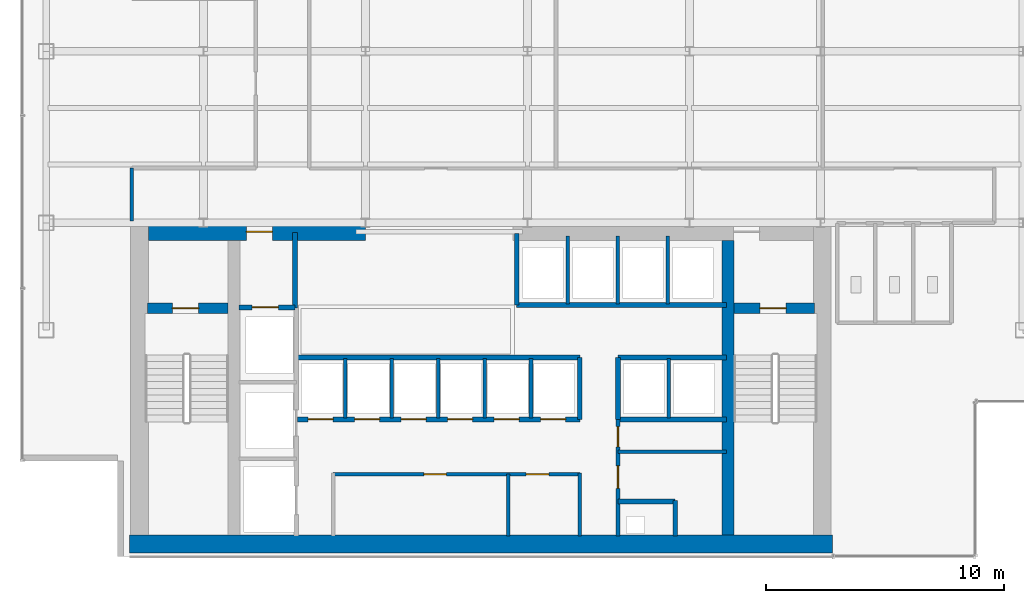
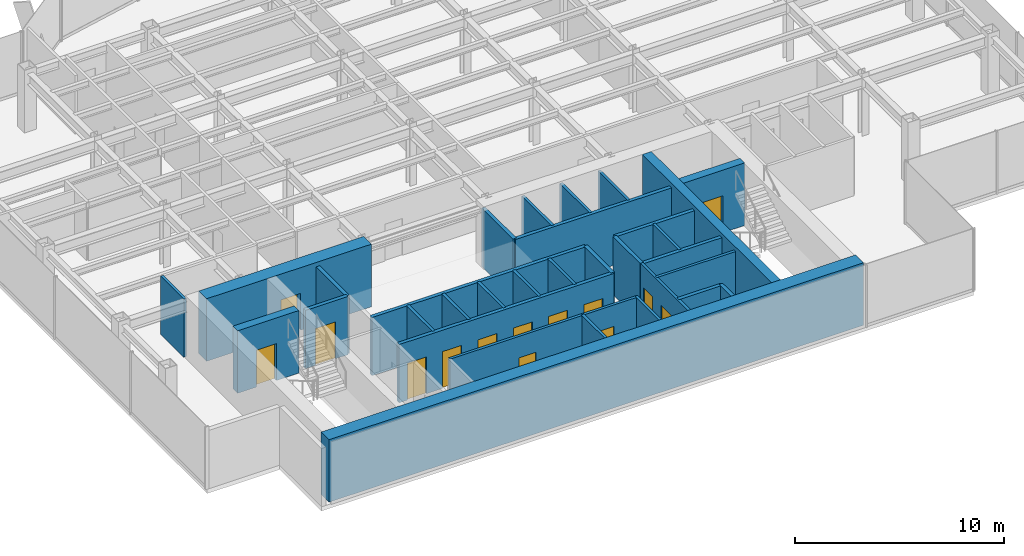
# One storey, part 20 of 25: 32 walls, 14 doors, 14 openings.
"""IFC4 building model written with IfcOpenShell, lengths in metres."""

from ifc_helpers import new_model, si_unit, derived_unit, direction, frame, frame_2d, origin, place, context, subcontext, project, spatial, rectangle, extrude, source, transform, mapped, material, layer, layer_set, type_object, element, fill, save


model = new_model("IFC4")

# Units and contexts
model_context = context("Model", 3, precision=1e-05, world=origin(), true_north=direction((0.0, 1.0)))
body_context = subcontext(model_context, "Body", "Model", "MODEL_VIEW")
ifc_project = project(units=[si_unit("LENGTHUNIT", "METRE"), si_unit("AREAUNIT", "SQUARE_METRE"), si_unit("VOLUMEUNIT", "CUBIC_METRE"), si_unit("PLANEANGLEUNIT", "RADIAN"), si_unit("MASSUNIT", "GRAM", prefix="KILO"), derived_unit("THERMALTRANSMITTANCEUNIT", [(si_unit("POWERUNIT", "WATT"), 1), (si_unit("LENGTHUNIT", "METRE"), -2), (si_unit("THERMODYNAMICTEMPERATUREUNIT", "KELVIN"), -1)])], contexts=[model_context])

# Site, building, storey
site_placement = place(None, origin())
site = spatial("IfcSite", under=ifc_project, at=site_placement, CompositionType="ELEMENT")
building_placement = place(site_placement, origin())
building = spatial("IfcBuilding", under=site, at=building_placement, Name="Skarnbrae Concourse Arena and Tower", CompositionType="ELEMENT")
storey_placement = place(building_placement, frame((0.0, 0.0, 155.199951171875)))
storey = spatial("IfcBuildingStorey", under=building, at=storey_placement, Name="L39", CompositionType="ELEMENT", Elevation=155.199951171875)

# Wall, opening, door
ifc_material_1 = material(Name="Concrete 50 MPa (C50/60)", Category="concrete")
ifc_layer_1 = layer(ifc_material_1, 0.449951171875)
ifc_layer_set_1 = layer_set([ifc_layer_1], Name="Concrete 50 MPa (C50/60)")
wall_type_1 = type_object("IfcWallType", Name="WALL-CORE-450-C50", PredefinedType="SHEAR", material=ifc_layer_set_1)
shared_shape_1 = source(origin(), body_context, "Body", "SweptSolid", [
    extrude(rectangle(XDim=3.389892578125, YDim=0.449951171875, at=frame_2d((1.69482421875, 0.0))), origin(), (0.0, 0.0, 1.0), 3.650146484375),
])
wall_1_placement = place(storey_placement, frame((5.25, 10.419921875, 0.0), z_axis=(0.0, 0.0, 1.0), x_axis=(1.0, 0.0, 0.0)))
wall_1 = element("IfcWall", 1, at=wall_1_placement, inside=storey, type_object=wall_type_1, Name="L39 Rear core shear wall CW-ST1-N", PredefinedType="SHEAR", context=body_context, shape_type="MappedRepresentation", body=[
    mapped(shared_shape_1, transform((0.0, 0.0, 0.0))),
])
opening_1_placement = place(wall_1_placement, frame((1.050048828125, 0.0, 0.0)))
opening_1 = element("IfcOpeningElement", 2, at=opening_1_placement, cuts=wall_1, Name="Opening DT-03", PredefinedType="OPENING", context=body_context, shape_type="SweptSolid", body=[
    extrude(rectangle(XDim=1.10009765625, YDim=2.14990234375, at=frame_2d((0.550048828125, 1.074951171875))), frame((0.0, 0.23486328125, 0.0), z_axis=(0.0, -1.0, 0.0), x_axis=(1.0, 0.0, 0.0)), (0.0, 0.0, 1.0), 0.469970703125),
])
ifc_material_2 = material(Name="Steel CSA G40.21 350W", Category="steel")
door_type_1 = type_object("IfcDoorType", Name="DOOR-FIRE-1100-90M", OperationType="NOTDEFINED", PredefinedType="DOOR", material=ifc_material_2)
shared_shape_2 = source(origin(), body_context, "Body", "SweptSolid", [
    extrude(rectangle(XDim=1.10009765625, YDim=2.14990234375, at=frame_2d((0.550048828125, 1.074951171875))), frame((0.0, 0.02490234375, 0.0), z_axis=(0.0, -1.0, 0.0), x_axis=(1.0, 0.0, 0.0)), (0.0, 0.0, 1.0), 0.050048828125),
])
door_1_placement = place(opening_1_placement, frame((1.10009765625, 0.0, 0.0), z_axis=(0.0, 0.0, 1.0), x_axis=(-1.0, 0.0, 0.0)))
door_1 = element("IfcDoor", 3, at=door_1_placement, inside=storey, type_object=door_type_1, Name="D-1208 Stair ST-1 Door", OperationType="SINGLE_SWING_LEFT", OverallHeight=2.14990234375, OverallWidth=1.10009765625, PredefinedType="DOOR", context=body_context, shape_type="MappedRepresentation", body=[
    mapped(shared_shape_2, transform((0.0, 0.0, 0.0))),
])
fill(opening_1, door_1)

wall_2_placement = place(storey_placement, frame((29.860107421875, 10.419921875, 0.0), z_axis=(0.0, 0.0, 1.0), x_axis=(1.0, 0.0, 0.0)))
wall_2 = element("IfcWall", 4, at=wall_2_placement, inside=storey, type_object=wall_type_1, Name="L39 Rear core shear wall CW-ST2-N", PredefinedType="SHEAR", context=body_context, shape_type="MappedRepresentation", body=[
    mapped(shared_shape_1, transform((0.0, 0.0, 0.0))),
])
opening_2_placement = place(wall_2_placement, frame((1.10009765625, 0.0, 0.0)))
opening_2 = element("IfcOpeningElement", 5, at=opening_2_placement, cuts=wall_2, Name="Opening DT-03", PredefinedType="OPENING", context=body_context, shape_type="SweptSolid", body=[
    extrude(rectangle(XDim=1.10009765625, YDim=2.14990234375, at=frame_2d((0.550048828125, 1.074951171875))), frame((0.0, 0.23486328125, 0.0), z_axis=(0.0, -1.0, 0.0), x_axis=(1.0, 0.0, 0.0)), (0.0, 0.0, 1.0), 0.469970703125),
])
door_2_placement = place(opening_2_placement, frame((1.10009765625, 0.0, 0.0), z_axis=(0.0, 0.0, 1.0), x_axis=(-1.0, 0.0, 0.0)))
door_2 = element("IfcDoor", 6, at=door_2_placement, inside=storey, type_object=door_type_1, Name="D-1209 Stair ST-2 Door", OperationType="SINGLE_SWING_RIGHT", OverallHeight=2.14990234375, OverallWidth=1.10009765625, PredefinedType="DOOR", context=body_context, shape_type="MappedRepresentation", body=[
    mapped(shared_shape_2, transform((0.0, 0.0, 0.0))),
])
fill(opening_2, door_2)

# Wall
ifc_material_3 = material(Name="Concrete 60 MPa (C60/75)", Category="concrete")
ifc_layer_2 = layer(ifc_material_3, 0.75)
ifc_layer_set_2 = layer_set([ifc_layer_2], Name="Concrete 60 MPa (C60/75)")
wall_type_2 = type_object("IfcWallType", Name="WALL-CORE-750-C60", PredefinedType="SHEAR", material=ifc_layer_set_2)
shared_shape_3 = source(origin(), body_context, "Body", "SweptSolid", [
    extrude(rectangle(XDim=29.5, YDim=0.75, at=frame_2d((14.75, 0.0))), origin(), (0.0, 0.0, 1.0), 3.650146484375),
])
wall_3_placement = place(storey_placement, frame((4.5, 0.52490234375, 0.0), z_axis=(0.0, 0.0, 1.0), x_axis=(1.0, 0.0, 0.0)))
element("IfcWall", 7, at=wall_3_placement, inside=storey, type_object=wall_type_2, Name="L39 Rear core shear wall CW-S", PredefinedType="SHEAR", context=body_context, shape_type="MappedRepresentation", body=[
    mapped(shared_shape_3, transform((0.0, 0.0, 0.0))),
])

# Wall, opening, door
shared_shape_4 = source(origin(), body_context, "Body", "SweptSolid", [
    extrude(rectangle(XDim=9.099853515625, YDim=0.75, at=frame_2d((4.5498046875, 0.0))), origin(), (0.0, 0.0, 1.0), 3.650146484375),
])
wall_4_placement = place(storey_placement, frame((5.300048828125, 13.625, 0.0), z_axis=(0.0, 0.0, 1.0), x_axis=(1.0, 0.0, 0.0)))
wall_4 = element("IfcWall", 8, at=wall_4_placement, inside=storey, type_object=wall_type_2, Name="L39 Rear core shear wall CW-NW", PredefinedType="SHEAR", context=body_context, shape_type="MappedRepresentation", body=[
    mapped(shared_shape_4, transform((0.0, 0.0, 0.0))),
])
opening_3_placement = place(wall_4_placement, frame((4.10009765625, 0.0, 0.0)))
opening_3 = element("IfcOpeningElement", 9, at=opening_3_placement, cuts=wall_4, Name="Opening DT-03", PredefinedType="OPENING", context=body_context, shape_type="SweptSolid", body=[
    extrude(rectangle(XDim=1.10009765625, YDim=2.14990234375, at=frame_2d((0.550048828125, 1.074951171875))), frame((0.0, 0.385009765625, 0.0), z_axis=(0.0, -1.0, 0.0), x_axis=(1.0, 0.0, 0.0)), (0.0, 0.0, 1.0), 0.77001953125),
])
door_3_placement = place(opening_3_placement, origin())
door_3 = element("IfcDoor", 10, at=door_3_placement, inside=storey, type_object=door_type_1, Name="D-1210 Firefighting Lobby Exit Door", OperationType="SINGLE_SWING_RIGHT", OverallHeight=2.14990234375, OverallWidth=1.10009765625, PredefinedType="DOOR", context=body_context, shape_type="MappedRepresentation", body=[
    mapped(shared_shape_2, transform((0.0, 0.0, 0.0))),
])
fill(opening_3, door_3)

# Walls
ifc_layer_3 = layer(ifc_material_3, 0.5)
ifc_layer_set_3 = layer_set([ifc_layer_3], Name="Concrete 60 MPa (C60/75)")
wall_type_3 = type_object("IfcWallType", Name="WALL-CORE-500-C60", PredefinedType="SHEAR", material=ifc_layer_set_3)
shared_shape_5 = source(origin(), body_context, "Body", "SweptSolid", [
    extrude(rectangle(XDim=12.35009765625, YDim=0.5, at=frame_2d((6.175048828125, 0.0))), origin(), (0.0, 0.0, 1.0), 3.650146484375),
])
wall_5_placement = place(storey_placement, frame((29.610107421875, 0.89990234375, 0.0), z_axis=(0.0, 0.0, 1.0), x_axis=(0.0, 1.0, 0.0)))
element("IfcWall", 11, at=wall_5_placement, inside=storey, type_object=wall_type_3, Name="L39 Rear core shear wall CW-WEB-E", PredefinedType="SHEAR", context=body_context, shape_type="MappedRepresentation", body=[
    mapped(shared_shape_5, transform((0.0, 0.0, 0.0))),
])
ifc_material_4 = material(Name="Gypsum board on cold-formed steel studs", Category="steel")
ifc_layer_4 = layer(ifc_material_4, 0.199951171875)
ifc_layer_set_4 = layer_set([ifc_layer_4], Name="Gypsum board on cold-formed steel studs")
wall_type_4 = type_object("IfcWallType", Name="WALL-PART-200-2HR", PredefinedType="PARTITIONING", material=ifc_layer_set_4)
shared_shape_6 = source(origin(), body_context, "Body", "SweptSolid", [
    extrude(rectangle(XDim=3.18017578125, YDim=0.199951171875, at=frame_2d((1.590087890625, 0.0))), origin(), (0.0, 0.0, 1.0), 3.400146484375),
])
wall_6_placement = place(storey_placement, frame((11.449951171875, 10.419921875, 0.0), z_axis=(0.0, 0.0, 1.0), x_axis=(0.0, 1.0, 0.0)))
element("IfcWall", 12, at=wall_6_placement, inside=storey, type_object=wall_type_4, Name="L39 Interior partition wall W-L39-FFL-E", PredefinedType="PARTITIONING", context=body_context, shape_type="MappedRepresentation", body=[
    mapped(shared_shape_6, transform((0.0, 0.0, 0.0))),
])

# Wall, opening, door
shared_shape_7 = source(origin(), body_context, "Body", "SweptSolid", [
    extrude(rectangle(XDim=2.349853515625, YDim=0.199951171875, at=frame_2d((1.1748046875, 0.0))), origin(), (0.0, 0.0, 1.0), 3.400146484375),
])
wall_7_placement = place(storey_placement, frame((9.10009765625, 10.449951171875, 0.0), z_axis=(0.0, 0.0, 1.0), x_axis=(1.0, 0.0, 0.0)))
wall_7 = element("IfcWall", 13, at=wall_7_placement, inside=storey, type_object=wall_type_4, Name="L39 Interior partition wall W-L39-FL1-N", PredefinedType="PARTITIONING", context=body_context, shape_type="MappedRepresentation", body=[
    mapped(shared_shape_7, transform((0.0, 0.0, 0.0))),
])
opening_4_placement = place(wall_7_placement, frame((0.550048828125, 0.0, 0.0)))
opening_4 = element("IfcOpeningElement", 14, at=opening_4_placement, cuts=wall_7, Name="Opening LD-01", PredefinedType="OPENING", context=body_context, shape_type="SweptSolid", body=[
    extrude(rectangle(XDim=1.10009765625, YDim=2.14990234375, at=frame_2d((0.550048828125, 1.074951171875))), frame((0.0, 0.10986328125, 0.0), z_axis=(0.0, -1.0, 0.0), x_axis=(1.0, 0.0, 0.0)), (0.0, 0.0, 1.0), 0.219970703125),
])
door_type_2 = type_object("IfcDoorType", Name="DOOR-LIFT-SLIDE-1100", OperationType="SLIDING_TO_LEFT", PredefinedType="DOOR", material=ifc_material_2)
door_4_placement = place(opening_4_placement, origin())
door_4 = element("IfcDoor", 15, at=door_4_placement, inside=storey, type_object=door_type_2, Name="D-1212 Firefighting Lift Landing Door FL-01", OperationType="SLIDING_TO_LEFT", OverallHeight=2.14990234375, OverallWidth=1.10009765625, PredefinedType="DOOR", context=body_context, shape_type="MappedRepresentation", body=[
    mapped(shared_shape_2, transform((0.0, 0.0, 0.0))),
])
fill(opening_4, door_4)

# Wall
ifc_layer_5 = layer(ifc_material_4, 0.14990234375)
ifc_layer_set_5 = layer_set([ifc_layer_5], Name="Gypsum board on cold-formed steel studs")
wall_type_5 = type_object("IfcWallType", Name="WALL-PART-150", PredefinedType="PARTITIONING", material=ifc_layer_set_5)
shared_shape_8 = source(origin(), body_context, "Body", "SweptSolid", [
    extrude(rectangle(XDim=2.599853515625, YDim=0.14990234375, at=frame_2d((1.2998046875, 0.0))), origin(), (0.0, 0.0, 1.0), 3.400146484375),
])
wall_8_placement = place(storey_placement, frame((20.39990234375, 0.85009765625, 0.0), z_axis=(0.0, 0.0, 1.0), x_axis=(0.0, 1.0, 0.0)))
element("IfcWall", 16, at=wall_8_placement, inside=storey, type_object=wall_type_5, Name="L39 Interior partition wall W-L39-B1M-C1", PredefinedType="PARTITIONING", context=body_context, shape_type="MappedRepresentation", body=[
    mapped(shared_shape_8, transform((0.0, 0.0, 0.0))),
])

# Wall, openings, doors
shared_shape_9 = source(origin(), body_context, "Body", "SweptSolid", [
    extrude(rectangle(XDim=11.849853515625, YDim=0.199951171875, at=frame_2d((5.9248046875, 0.0))), origin(), (0.0, 0.0, 1.0), 3.400146484375),
])
wall_9_placement = place(storey_placement, frame((11.550048828125, 5.75, 0.0), z_axis=(0.0, 0.0, 1.0), x_axis=(1.0, 0.0, 0.0)))
wall_9 = element("IfcWall", 17, at=wall_9_placement, inside=storey, type_object=wall_type_4, Name="L39 Interior partition wall W-L39-B2-S", PredefinedType="PARTITIONING", context=body_context, shape_type="MappedRepresentation", body=[
    mapped(shared_shape_9, transform((0.0, 0.0, 0.0))),
])
opening_5_placement = place(wall_9_placement, frame((0.449951171875, 0.0, 0.0)))
opening_5 = element("IfcOpeningElement", 18, at=opening_5_placement, cuts=wall_9, Name="Opening LD-03", PredefinedType="OPENING", context=body_context, shape_type="SweptSolid", body=[
    extrude(rectangle(XDim=1.050048828125, YDim=2.14990234375, at=frame_2d((0.52490234375, 1.074951171875))), frame((0.0, 0.10986328125, 0.0), z_axis=(0.0, -1.0, 0.0), x_axis=(1.0, 0.0, 0.0)), (0.0, 0.0, 1.0), 0.219970703125),
])
opening_6_placement = place(wall_9_placement, frame((2.39990234375, 0.0, 0.0)))
opening_6 = element("IfcOpeningElement", 19, at=opening_6_placement, cuts=wall_9, Name="Opening LD-03", PredefinedType="OPENING", context=body_context, shape_type="SweptSolid", body=[
    extrude(rectangle(XDim=1.050048828125, YDim=2.14990234375, at=frame_2d((0.52490234375, 1.074951171875))), frame((0.0, 0.10986328125, 0.0), z_axis=(0.0, -1.0, 0.0), x_axis=(1.0, 0.0, 0.0)), (0.0, 0.0, 1.0), 0.219970703125),
])
opening_7_placement = place(wall_9_placement, frame((4.35009765625, 0.0, 0.0)))
opening_7 = element("IfcOpeningElement", 20, at=opening_7_placement, cuts=wall_9, Name="Opening LD-03", PredefinedType="OPENING", context=body_context, shape_type="SweptSolid", body=[
    extrude(rectangle(XDim=1.050048828125, YDim=2.14990234375, at=frame_2d((0.52490234375, 1.074951171875))), frame((0.0, 0.10986328125, 0.0), z_axis=(0.0, -1.0, 0.0), x_axis=(1.0, 0.0, 0.0)), (0.0, 0.0, 1.0), 0.219970703125),
])
opening_8_placement = place(wall_9_placement, frame((6.300048828125, 0.0, 0.0)))
opening_8 = element("IfcOpeningElement", 21, at=opening_8_placement, cuts=wall_9, Name="Opening LD-03", PredefinedType="OPENING", context=body_context, shape_type="SweptSolid", body=[
    extrude(rectangle(XDim=1.050048828125, YDim=2.14990234375, at=frame_2d((0.52490234375, 1.074951171875))), frame((0.0, 0.10986328125, 0.0), z_axis=(0.0, -1.0, 0.0), x_axis=(1.0, 0.0, 0.0)), (0.0, 0.0, 1.0), 0.219970703125),
])
opening_9_placement = place(wall_9_placement, frame((8.25, 0.0, 0.0)))
opening_9 = element("IfcOpeningElement", 22, at=opening_9_placement, cuts=wall_9, Name="Opening LD-03", PredefinedType="OPENING", context=body_context, shape_type="SweptSolid", body=[
    extrude(rectangle(XDim=1.050048828125, YDim=2.14990234375, at=frame_2d((0.52490234375, 1.074951171875))), frame((0.0, 0.10986328125, 0.0), z_axis=(0.0, -1.0, 0.0), x_axis=(1.0, 0.0, 0.0)), (0.0, 0.0, 1.0), 0.219970703125),
])
opening_10_placement = place(wall_9_placement, frame((10.199951171875, 0.0, 0.0)))
opening_10 = element("IfcOpeningElement", 23, at=opening_10_placement, cuts=wall_9, Name="Opening LD-03", PredefinedType="OPENING", context=body_context, shape_type="SweptSolid", body=[
    extrude(rectangle(XDim=1.050048828125, YDim=2.14990234375, at=frame_2d((0.52490234375, 1.074951171875))), frame((0.0, 0.10986328125, 0.0), z_axis=(0.0, -1.0, 0.0), x_axis=(1.0, 0.0, 0.0)), (0.0, 0.0, 1.0), 0.219970703125),
])
ifc_material_5 = material(Name="Bronze anodised aluminium 6063-T6", Category="aluminium")
door_type_3 = type_object("IfcDoorType", Name="DOOR-LIFT-SLIDE-1050", OperationType="SLIDING_TO_LEFT", PredefinedType="DOOR", material=ifc_material_5)
shared_shape_10 = source(origin(), body_context, "Body", "SweptSolid", [
    extrude(rectangle(XDim=1.050048828125, YDim=2.14990234375, at=frame_2d((0.52490234375, 1.074951171875))), frame((0.0, 0.02490234375, 0.0), z_axis=(0.0, -1.0, 0.0), x_axis=(1.0, 0.0, 0.0)), (0.0, 0.0, 1.0), 0.050048828125),
])
door_5_placement = place(opening_5_placement, frame((1.050048828125, 0.0, 0.0), z_axis=(0.0, 0.0, 1.0), x_axis=(-1.0, 0.0, 0.0)))
door_5 = element("IfcDoor", 24, at=door_5_placement, inside=storey, type_object=door_type_3, Name="D-1217 Passenger Lift Landing Door PL-2A", OperationType="SLIDING_TO_LEFT", OverallHeight=2.14990234375, OverallWidth=1.050048828125, PredefinedType="DOOR", context=body_context, shape_type="MappedRepresentation", body=[
    mapped(shared_shape_10, transform((0.0, 0.0, 0.0))),
])
fill(opening_5, door_5)
door_6_placement = place(opening_6_placement, frame((1.050048828125, 0.0, 0.0), z_axis=(0.0, 0.0, 1.0), x_axis=(-1.0, 0.0, 0.0)))
door_6 = element("IfcDoor", 25, at=door_6_placement, inside=storey, type_object=door_type_3, Name="D-1218 Passenger Lift Landing Door PL-2B", OperationType="SLIDING_TO_LEFT", OverallHeight=2.14990234375, OverallWidth=1.050048828125, PredefinedType="DOOR", context=body_context, shape_type="MappedRepresentation", body=[
    mapped(shared_shape_10, transform((0.0, 0.0, 0.0))),
])
fill(opening_6, door_6)
door_7_placement = place(opening_7_placement, frame((1.050048828125, 0.0, 0.0), z_axis=(0.0, 0.0, 1.0), x_axis=(-1.0, 0.0, 0.0)))
door_7 = element("IfcDoor", 26, at=door_7_placement, inside=storey, type_object=door_type_3, Name="D-1219 Passenger Lift Landing Door PL-2C", OperationType="SLIDING_TO_LEFT", OverallHeight=2.14990234375, OverallWidth=1.050048828125, PredefinedType="DOOR", context=body_context, shape_type="MappedRepresentation", body=[
    mapped(shared_shape_10, transform((0.0, 0.0, 0.0))),
])
fill(opening_7, door_7)
door_8_placement = place(opening_8_placement, frame((1.050048828125, 0.0, 0.0), z_axis=(0.0, 0.0, 1.0), x_axis=(-1.0, 0.0, 0.0)))
door_8 = element("IfcDoor", 27, at=door_8_placement, inside=storey, type_object=door_type_3, Name="D-1220 Passenger Lift Landing Door PL-2D", OperationType="SLIDING_TO_LEFT", OverallHeight=2.14990234375, OverallWidth=1.050048828125, PredefinedType="DOOR", context=body_context, shape_type="MappedRepresentation", body=[
    mapped(shared_shape_10, transform((0.0, 0.0, 0.0))),
])
fill(opening_8, door_8)
door_9_placement = place(opening_9_placement, frame((1.050048828125, 0.0, 0.0), z_axis=(0.0, 0.0, 1.0), x_axis=(-1.0, 0.0, 0.0)))
door_9 = element("IfcDoor", 28, at=door_9_placement, inside=storey, type_object=door_type_3, Name="D-1221 Passenger Lift Landing Door PL-2E", OperationType="SLIDING_TO_LEFT", OverallHeight=2.14990234375, OverallWidth=1.050048828125, PredefinedType="DOOR", context=body_context, shape_type="MappedRepresentation", body=[
    mapped(shared_shape_10, transform((0.0, 0.0, 0.0))),
])
fill(opening_9, door_9)
door_10_placement = place(opening_10_placement, frame((1.050048828125, 0.0, 0.0), z_axis=(0.0, 0.0, 1.0), x_axis=(-1.0, 0.0, 0.0)))
door_10 = element("IfcDoor", 29, at=door_10_placement, inside=storey, type_object=door_type_3, Name="D-1222 Passenger Lift Landing Door PL-2F", OperationType="SLIDING_TO_LEFT", OverallHeight=2.14990234375, OverallWidth=1.050048828125, PredefinedType="DOOR", context=body_context, shape_type="MappedRepresentation", body=[
    mapped(shared_shape_10, transform((0.0, 0.0, 0.0))),
])
fill(opening_10, door_10)

# Walls
wall_10_placement = place(storey_placement, frame((11.550048828125, 8.35009765625, 0.0), z_axis=(0.0, 0.0, 1.0), x_axis=(1.0, 0.0, 0.0)))
element("IfcWall", 30, at=wall_10_placement, inside=storey, type_object=wall_type_4, Name="L39 Interior partition wall W-L39-B2-N", PredefinedType="PARTITIONING", context=body_context, shape_type="MappedRepresentation", body=[
    mapped(shared_shape_9, transform((0.0, 0.0, 0.0))),
])
shared_shape_11 = source(origin(), body_context, "Body", "SweptSolid", [
    extrude(rectangle(XDim=2.60009765625, YDim=0.199951171875, at=frame_2d((1.300048828125, 0.0))), origin(), (0.0, 0.0, 1.0), 3.400146484375),
])
for number, where, z_axis, x_axis, name in (
    (31, (23.39990234375, 5.75, 0.0), (0.0, 0.0, 1.0), (0.0, 1.0, 0.0), "L39 Interior partition wall W-L39-B2-E"),
    (32, (25.0, 5.75, 0.0), (0.0, 0.0, 1.0), (0.0, 1.0, 0.0), "L39 Interior partition wall W-L39-B3S-W"),
):
    element("IfcWall", number, at=place(storey_placement, frame(where, z_axis=z_axis, x_axis=x_axis)), inside=storey, type_object=wall_type_4, Name=name, PredefinedType="PARTITIONING", context=body_context, shape_type="MappedRepresentation", body=[
        mapped(shared_shape_11, transform((0.0, 0.0, 0.0))),
    ])
shared_shape_12 = source(origin(), body_context, "Body", "SweptSolid", [
    extrude(rectangle(XDim=2.5, YDim=0.14990234375, at=frame_2d((1.25, 0.0))), origin(), (0.0, 0.0, 1.0), 3.400146484375),
])
for number, where, z_axis, x_axis, name in (
    (33, (13.550048828125, 5.800048828125, 0.0), (0.0, 0.0, 1.0), (0.0, 1.0, 0.0), "L39 Interior partition wall W-L39-B2-P1"),
    (34, (15.5, 5.800048828125, 0.0), (0.0, 0.0, 1.0), (0.0, 1.0, 0.0), "L39 Interior partition wall W-L39-B2-P2"),
    (35, (17.449951171875, 5.800048828125, 0.0), (0.0, 0.0, 1.0), (0.0, 1.0, 0.0), "L39 Interior partition wall W-L39-B2-P3"),
    (36, (19.39990234375, 5.800048828125, 0.0), (0.0, 0.0, 1.0), (0.0, 1.0, 0.0), "L39 Interior partition wall W-L39-B2-P4"),
    (37, (21.35009765625, 5.800048828125, 0.0), (0.0, 0.0, 1.0), (0.0, 1.0, 0.0), "L39 Interior partition wall W-L39-B2-P5"),
    (38, (27.139892578125, 5.800048828125, 0.0), (0.0, 0.0, 1.0), (0.0, 1.0, 0.0), "L39 Interior partition wall W-L39-B3S-P1"),
):
    element("IfcWall", number, at=place(storey_placement, frame(where, z_axis=z_axis, x_axis=x_axis)), inside=storey, type_object=wall_type_5, Name=name, PredefinedType="PARTITIONING", context=body_context, shape_type="MappedRepresentation", body=[
        mapped(shared_shape_12, transform((0.0, 0.0, 0.0))),
    ])
shared_shape_13 = source(origin(), body_context, "Body", "SweptSolid", [
    extrude(rectangle(XDim=8.800048828125, YDim=0.199951171875, at=frame_2d((4.39990234375, 0.0))), origin(), (0.0, 0.0, 1.0), 3.400146484375),
])
wall_11_placement = place(storey_placement, frame((20.75, 10.550048828125, 0.0), z_axis=(0.0, 0.0, 1.0), x_axis=(1.0, 0.0, 0.0)))
element("IfcWall", 39, at=wall_11_placement, inside=storey, type_object=wall_type_4, Name="L39 Interior partition wall W-L39-B3N-S", PredefinedType="PARTITIONING", context=body_context, shape_type="MappedRepresentation", body=[
    mapped(shared_shape_13, transform((0.0, 0.0, 0.0))),
])
shared_shape_14 = source(origin(), body_context, "Body", "SweptSolid", [
    extrude(rectangle(XDim=3.0, YDim=0.199951171875, at=frame_2d((1.5, 0.0))), origin(), (0.0, 0.0, 1.0), 3.400146484375),
])
wall_12_placement = place(storey_placement, frame((20.75, 10.550048828125, 0.0), z_axis=(0.0, 0.0, 1.0), x_axis=(0.0, 1.0, 0.0)))
element("IfcWall", 40, at=wall_12_placement, inside=storey, type_object=wall_type_4, Name="L39 Interior partition wall W-L39-B3N-W", PredefinedType="PARTITIONING", context=body_context, shape_type="MappedRepresentation", body=[
    mapped(shared_shape_14, transform((0.0, 0.0, 0.0))),
])
shared_shape_15 = source(origin(), body_context, "Body", "SweptSolid", [
    extrude(rectangle(XDim=2.849853515625, YDim=0.14990234375, at=frame_2d((1.4248046875, 0.0))), origin(), (0.0, 0.0, 1.0), 3.400146484375),
])
for number, where, z_axis, x_axis, name in (
    (41, (22.889892578125, 10.60009765625, 0.0), (0.0, 0.0, 1.0), (0.0, 1.0, 0.0), "L39 Interior partition wall W-L39-B3N-P1"),
    (42, (24.989990234375, 10.60009765625, 0.0), (0.0, 0.0, 1.0), (0.0, 1.0, 0.0), "L39 Interior partition wall W-L39-B3N-P2"),
    (43, (27.090087890625, 10.60009765625, 0.0), (0.0, 0.0, 1.0), (0.0, 1.0, 0.0), "L39 Interior partition wall W-L39-B3N-P3"),
):
    element("IfcWall", number, at=place(storey_placement, frame(where, z_axis=z_axis, x_axis=x_axis)), inside=storey, type_object=wall_type_5, Name=name, PredefinedType="PARTITIONING", context=body_context, shape_type="MappedRepresentation", body=[
        mapped(shared_shape_15, transform((0.0, 0.0, 0.0))),
    ])
shared_shape_16 = source(origin(), body_context, "Body", "SweptSolid", [
    extrude(rectangle(XDim=4.550048828125, YDim=0.199951171875, at=frame_2d((2.27490234375, 0.0))), origin(), (0.0, 0.0, 1.0), 3.400146484375),
])
for number, where, z_axis, x_axis, name in (
    (44, (25.0, 8.35009765625, 0.0), (0.0, 0.0, 1.0), (1.0, 0.0, 0.0), "L39 Interior partition wall W-L39-B3S-N"),
    (45, (25.0, 5.75, 0.0), (0.0, 0.0, 1.0), (1.0, 0.0, 0.0), "L39 Interior partition wall W-L39-B3S-S"),
):
    element("IfcWall", number, at=place(storey_placement, frame(where, z_axis=z_axis, x_axis=x_axis)), inside=storey, type_object=wall_type_4, Name=name, PredefinedType="PARTITIONING", context=body_context, shape_type="MappedRepresentation", body=[
        mapped(shared_shape_16, transform((0.0, 0.0, 0.0))),
    ])

# Wall, openings, doors
ifc_layer_6 = layer(ifc_material_4, 0.14990234375)
ifc_layer_set_6 = layer_set([ifc_layer_6], Name="Gypsum board on cold-formed steel studs")
wall_type_6 = type_object("IfcWallType", Name="WALL-PART-150-1HR", PredefinedType="PARTITIONING", material=ifc_layer_set_6)
shared_shape_17 = source(origin(), body_context, "Body", "SweptSolid", [
    extrude(rectangle(XDim=4.89990234375, YDim=0.14990234375, at=frame_2d((2.449951171875, 0.0))), origin(), (0.0, 0.0, 1.0), 3.400146484375),
])
wall_13_placement = place(storey_placement, frame((25.0, 0.85009765625, 0.0), z_axis=(0.0, 0.0, 1.0), x_axis=(0.0, 1.0, 0.0)))
wall_13 = element("IfcWall", 46, at=wall_13_placement, inside=storey, type_object=wall_type_6, Name="L39 Interior partition wall W-L39-CSV-W", PredefinedType="PARTITIONING", context=body_context, shape_type="MappedRepresentation", body=[
    mapped(shared_shape_17, transform((0.0, 0.0, 0.0))),
])
opening_11_placement = place(wall_13_placement, frame((2.0, 0.0, 0.0)))
opening_11 = element("IfcOpeningElement", 47, at=opening_11_placement, cuts=wall_13, Name="Opening DT-04", PredefinedType="OPENING", context=body_context, shape_type="SweptSolid", body=[
    extrude(rectangle(XDim=0.949951171875, YDim=2.14990234375, at=frame_2d((0.47509765625, 1.074951171875))), frame((0.0, 0.0849609375, 0.0), z_axis=(0.0, -1.0, 0.0), x_axis=(1.0, 0.0, 0.0)), (0.0, 0.0, 1.0), 0.169921875),
])
opening_12_placement = place(wall_13_placement, frame((3.75, 0.0, 0.0)))
opening_12 = element("IfcOpeningElement", 48, at=opening_12_placement, cuts=wall_13, Name="Opening DT-08", PredefinedType="OPENING", context=body_context, shape_type="SweptSolid", body=[
    extrude(rectangle(XDim=0.85009765625, YDim=2.14990234375, at=frame_2d((0.425048828125, 1.074951171875))), frame((0.0, 0.0849609375, 0.0), z_axis=(0.0, -1.0, 0.0), x_axis=(1.0, 0.0, 0.0)), (0.0, 0.0, 1.0), 0.169921875),
])
door_type_4 = type_object("IfcDoorType", Name="DOOR-INT-950-45M", OperationType="NOTDEFINED", PredefinedType="DOOR", material=ifc_material_2)
shared_shape_18 = source(origin(), body_context, "Body", "SweptSolid", [
    extrude(rectangle(XDim=0.949951171875, YDim=2.14990234375, at=frame_2d((0.47509765625, 1.074951171875))), frame((0.0, 0.02490234375, 0.0), z_axis=(0.0, -1.0, 0.0), x_axis=(1.0, 0.0, 0.0)), (0.0, 0.0, 1.0), 0.050048828125),
])
door_11_placement = place(opening_11_placement, origin())
door_11 = element("IfcDoor", 49, at=door_11_placement, inside=storey, type_object=door_type_4, Name="D-1223 Telemetry Room Door", OperationType="SINGLE_SWING_LEFT", OverallHeight=2.14990234375, OverallWidth=0.949951171875, PredefinedType="DOOR", context=body_context, shape_type="MappedRepresentation", body=[
    mapped(shared_shape_18, transform((0.0, 0.0, 0.0))),
])
fill(opening_11, door_11)
door_type_5 = type_object("IfcDoorType", Name="DOOR-INT-850-45M", OperationType="NOTDEFINED", PredefinedType="DOOR", material=ifc_material_2)
shared_shape_19 = source(origin(), body_context, "Body", "SweptSolid", [
    extrude(rectangle(XDim=0.85009765625, YDim=2.14990234375, at=frame_2d((0.425048828125, 1.074951171875))), frame((0.0, 0.02490234375, 0.0), z_axis=(0.0, -1.0, 0.0), x_axis=(1.0, 0.0, 0.0)), (0.0, 0.0, 1.0), 0.050048828125),
])
door_12_placement = place(opening_12_placement, origin())
door_12 = element("IfcDoor", 50, at=door_12_placement, inside=storey, type_object=door_type_5, Name="D-1224 Recycling Room Door", OperationType="SINGLE_SWING_RIGHT", OverallHeight=2.14990234375, OverallWidth=0.85009765625, PredefinedType="DOOR", context=body_context, shape_type="MappedRepresentation", body=[
    mapped(shared_shape_19, transform((0.0, 0.0, 0.0))),
])
fill(opening_12, door_12)

# Walls
shared_shape_20 = source(origin(), body_context, "Body", "SweptSolid", [
    extrude(rectangle(XDim=2.39990234375, YDim=0.199951171875, at=frame_2d((1.199951171875, 0.0))), origin(), (0.0, 0.0, 1.0), 3.400146484375),
])
wall_14_placement = place(storey_placement, frame((25.0, 2.300048828125, 0.0), z_axis=(0.0, 0.0, 1.0), x_axis=(1.0, 0.0, 0.0)))
element("IfcWall", 51, at=wall_14_placement, inside=storey, type_object=wall_type_4, Name="L39 Interior partition wall W-L39-MEP-N", PredefinedType="PARTITIONING", context=body_context, shape_type="MappedRepresentation", body=[
    mapped(shared_shape_20, transform((0.0, 0.0, 0.0))),
])
shared_shape_21 = source(origin(), body_context, "Body", "SweptSolid", [
    extrude(rectangle(XDim=1.5, YDim=0.199951171875, at=frame_2d((0.75, 0.0))), origin(), (0.0, 0.0, 1.0), 3.400146484375),
])
wall_15_placement = place(storey_placement, frame((27.39990234375, 0.85009765625, 0.0), z_axis=(0.0, 0.0, 1.0), x_axis=(0.0, 1.0, 0.0)))
element("IfcWall", 52, at=wall_15_placement, inside=storey, type_object=wall_type_4, Name="L39 Interior partition wall W-L39-MEP-E", PredefinedType="PARTITIONING", context=body_context, shape_type="MappedRepresentation", body=[
    mapped(shared_shape_21, transform((0.0, 0.0, 0.0))),
])
shared_shape_22 = source(origin(), body_context, "Body", "SweptSolid", [
    extrude(rectangle(XDim=4.550048828125, YDim=0.14990234375, at=frame_2d((2.27490234375, 0.0))), origin(), (0.0, 0.0, 1.0), 3.400146484375),
])
wall_16_placement = place(storey_placement, frame((25.0, 4.39990234375, 0.0), z_axis=(0.0, 0.0, 1.0), x_axis=(1.0, 0.0, 0.0)))
element("IfcWall", 53, at=wall_16_placement, inside=storey, type_object=wall_type_5, Name="L39 Interior partition wall W-L39-CSV-H", PredefinedType="PARTITIONING", context=body_context, shape_type="MappedRepresentation", body=[
    mapped(shared_shape_22, transform((0.0, 0.0, 0.0))),
])
shared_shape_23 = source(origin(), body_context, "Body", "SweptSolid", [
    extrude(rectangle(XDim=2.64990234375, YDim=0.14990234375, at=frame_2d((1.324951171875, 0.0))), origin(), (0.0, 0.0, 1.0), 3.400146484375),
])
wall_17_placement = place(storey_placement, frame((23.39990234375, 0.85009765625, 0.0), z_axis=(0.0, 0.0, 1.0), x_axis=(0.0, 1.0, 0.0)))
element("IfcWall", 54, at=wall_17_placement, inside=storey, type_object=wall_type_6, Name="L39 Interior partition wall W-L39-B1M-E", PredefinedType="PARTITIONING", context=body_context, shape_type="MappedRepresentation", body=[
    mapped(shared_shape_23, transform((0.0, 0.0, 0.0))),
])

# Wall, openings, doors
shared_shape_24 = source(origin(), body_context, "Body", "SweptSolid", [
    extrude(rectangle(XDim=10.349853515625, YDim=0.14990234375, at=frame_2d((5.1748046875, 0.0))), origin(), (0.0, 0.0, 1.0), 3.400146484375),
])
wall_18_placement = place(storey_placement, frame((13.050048828125, 3.449951171875, 0.0), z_axis=(0.0, 0.0, 1.0), x_axis=(1.0, 0.0, 0.0)))
wall_18 = element("IfcWall", 55, at=wall_18_placement, inside=storey, type_object=wall_type_6, Name="L39 Interior partition wall W-L39-B1M-N", PredefinedType="PARTITIONING", context=body_context, shape_type="MappedRepresentation", body=[
    mapped(shared_shape_24, transform((0.0, 0.0, 0.0))),
])
opening_13_placement = place(wall_18_placement, frame((3.800048828125, 0.0, 0.0)))
opening_13 = element("IfcOpeningElement", 56, at=opening_13_placement, cuts=wall_18, Name="Opening DT-04", PredefinedType="OPENING", context=body_context, shape_type="SweptSolid", body=[
    extrude(rectangle(XDim=0.949951171875, YDim=2.14990234375, at=frame_2d((0.47509765625, 1.074951171875))), frame((0.0, 0.0849609375, 0.0), z_axis=(0.0, -1.0, 0.0), x_axis=(1.0, 0.0, 0.0)), (0.0, 0.0, 1.0), 0.169921875),
])
opening_14_placement = place(wall_18_placement, frame((8.10009765625, 0.0, 0.0)))
opening_14 = element("IfcOpeningElement", 57, at=opening_14_placement, cuts=wall_18, Name="Opening DT-04", PredefinedType="OPENING", context=body_context, shape_type="SweptSolid", body=[
    extrude(rectangle(XDim=0.949951171875, YDim=2.14990234375, at=frame_2d((0.47509765625, 1.074951171875))), frame((0.0, 0.0849609375, 0.0), z_axis=(0.0, -1.0, 0.0), x_axis=(1.0, 0.0, 0.0)), (0.0, 0.0, 1.0), 0.169921875),
])
door_13_placement = place(opening_13_placement, origin())
door_13 = element("IfcDoor", 58, at=door_13_placement, inside=storey, type_object=door_type_4, Name="D-1215 Staff Locker Door", OperationType="SINGLE_SWING_LEFT", OverallHeight=2.14990234375, OverallWidth=0.949951171875, PredefinedType="DOOR", context=body_context, shape_type="MappedRepresentation", body=[
    mapped(shared_shape_18, transform((0.0, 0.0, 0.0))),
])
fill(opening_13, door_13)
door_14_placement = place(opening_14_placement, origin())
door_14 = element("IfcDoor", 59, at=door_14_placement, inside=storey, type_object=door_type_4, Name="D-1216 Janitor Store Door", OperationType="SINGLE_SWING_RIGHT", OverallHeight=2.14990234375, OverallWidth=0.949951171875, PredefinedType="DOOR", context=body_context, shape_type="MappedRepresentation", body=[
    mapped(shared_shape_18, transform((0.0, 0.0, 0.0))),
])
fill(opening_14, door_14)

# Wall
shared_shape_25 = source(origin(), body_context, "Body", "SweptSolid", [
    extrude(rectangle(XDim=2.219970703125, YDim=0.14990234375, at=frame_2d((1.10986328125, 0.0))), origin(), (0.0, 0.0, 1.0), 3.400146484375),
])
wall_19_placement = place(storey_placement, frame((4.60009765625, 14.080078125, 0.0), z_axis=(0.0, 0.0, 1.0), x_axis=(0.0, 1.0, 0.0)))
element("IfcWall", 60, at=wall_19_placement, inside=storey, type_object=wall_type_6, Name="L39 Interior partition wall W-L39-COR-01", PredefinedType="PARTITIONING", context=body_context, shape_type="MappedRepresentation", body=[
    mapped(shared_shape_25, transform((0.0, 0.0, 0.0))),
])

save(model, "model.ifc")
